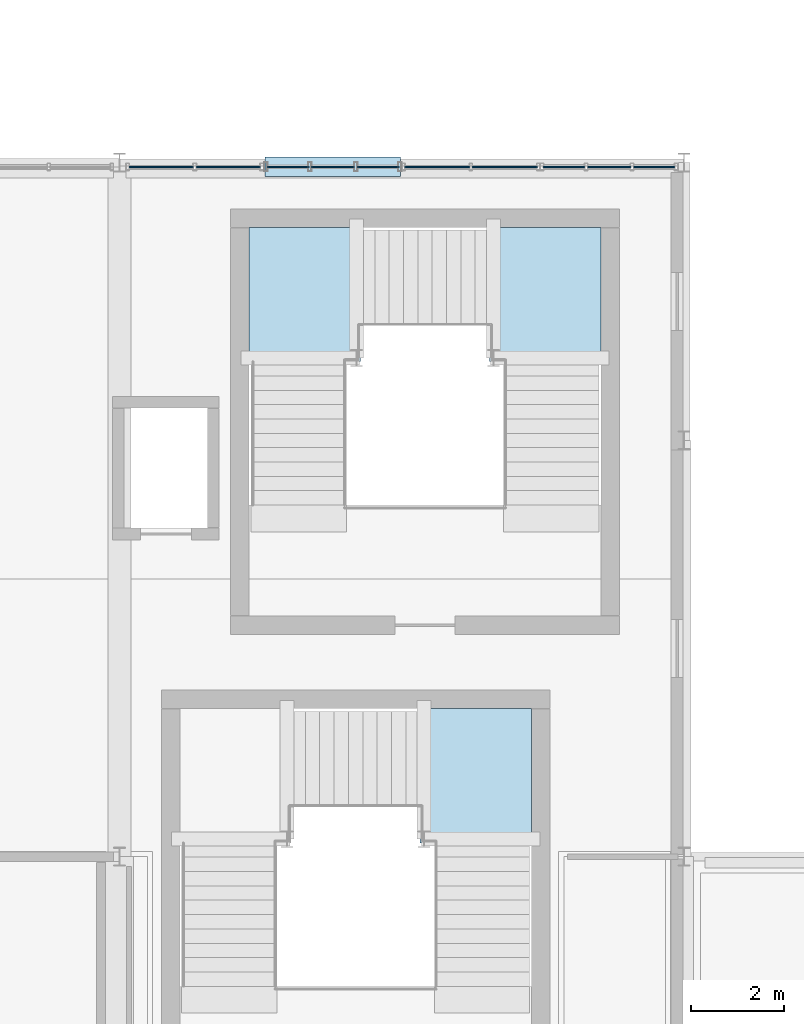
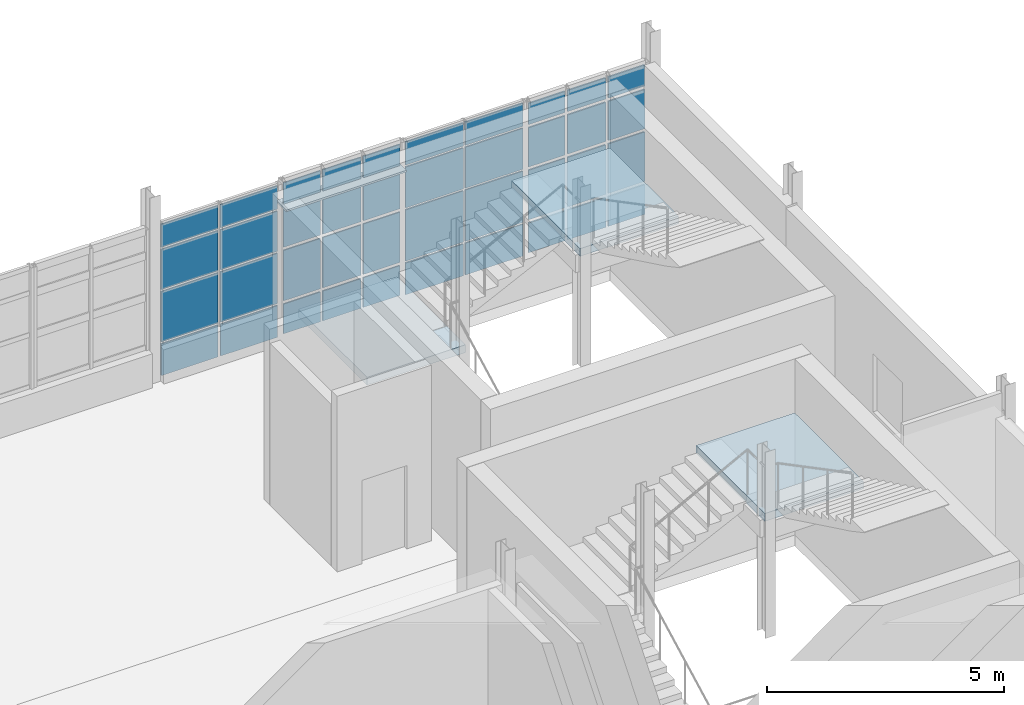
# One storey, part 101 of 127: 41 plates, 3 slabs, 6 elements without a shape of their own.
"""IFC4 building model written with IfcOpenShell, lengths in metres."""

from ifc_helpers import new_model, si_unit, derived_unit, direction, frame, origin, origin_2d, place, context, subcontext, project, spatial, polyline, rectangle, outline, extrude, material, layer, layer_set, type_object, element, aggregate, save


model = new_model("IFC4")

# Units and contexts
model_context = context("Model", 3, precision=1e-05, world=origin(), true_north=direction((0.0, 1.0)))
body_context = subcontext(model_context, "Body", "Model", "MODEL_VIEW")
ifc_project = project(units=[si_unit("LENGTHUNIT", "METRE"), si_unit("AREAUNIT", "SQUARE_METRE"), si_unit("VOLUMEUNIT", "CUBIC_METRE"), si_unit("PLANEANGLEUNIT", "RADIAN"), si_unit("MASSUNIT", "GRAM", prefix="KILO"), derived_unit("THERMALTRANSMITTANCEUNIT", [(si_unit("POWERUNIT", "WATT"), 1), (si_unit("LENGTHUNIT", "METRE"), -2), (si_unit("THERMODYNAMICTEMPERATUREUNIT", "KELVIN"), -1)])], contexts=[model_context])

# Site, building, storey
site_placement = place(None, origin())
site = spatial("IfcSite", under=ifc_project, at=site_placement, CompositionType="ELEMENT")
building_placement = place(site_placement, origin())
building = spatial("IfcBuilding", under=site, at=building_placement, Name="Nallur Shell Playhouse", CompositionType="ELEMENT")
storey_placement = place(building_placement, frame((0.0, 0.0, 5.39990234375)))
storey = spatial("IfcBuildingStorey", under=building, at=storey_placement, Name="L02", CompositionType="ELEMENT", Elevation=5.39990234375)

# Curtain wall, plates
ifc_material_1 = material(Name="Anodised Aluminium Double-Glazed Facade System", Category="aluminium")
ifc_layer_1 = layer(ifc_material_1, 0.172119140625)
ifc_layer_set_1 = layer_set([ifc_layer_1], Name="Anodised Aluminium Double-Glazed Facade System")
curtain_wall_type_1 = type_object("IfcCurtainWallType", Name="CW-UNIT-03", PredefinedType="NOTDEFINED", material=ifc_layer_set_1)
curtain_wall_1_placement = place(storey_placement, origin())
curtain_wall_1 = element("IfcCurtainWall", 1, at=curtain_wall_1_placement, inside=storey, type_object=curtain_wall_type_1, Name="Unitised curtain wall CW-035 (L02)", PredefinedType="NOTDEFINED")
ifc_material_2 = material(Name="Solar-Control Low-E Laminated Insulating Glass", Category="glass")
ifc_layer_2 = layer(ifc_material_2, 0.030029296875)
ifc_layer_set_2 = layer_set([ifc_layer_2], Name="Solar-Control Low-E Laminated Insulating Glass")
plate_type_1 = type_object("IfcPlateType", Name="PT-GLZ-03", PredefinedType="CURTAIN_PANEL", material=ifc_layer_set_2)
plate_1_placement = place(storey_placement, frame((148.49755859375, 55.909912109375, 0.05712890625), z_axis=(0.0, 0.0, 1.0), x_axis=(1.0, 0.0, 0.0)))
plate_1 = element("IfcPlate", 2, at=plate_1_placement, type_object=plate_type_1, Name="CW-03 panel 1.1", PredefinedType="CURTAIN_PANEL", context=body_context, shape_type="SweptSolid", body=[
    extrude(rectangle(XDim=1.38525390625, YDim=0.030029296875, at=origin_2d()), origin(), (0.0, 0.0, 1.0), 0.818603515625),
])
plate_2_placement = place(storey_placement, frame((148.49755859375, 55.909912109375, 0.9248046875), z_axis=(0.0, 0.0, 1.0), x_axis=(1.0, 0.0, 0.0)))
plate_2 = element("IfcPlate", 3, at=plate_2_placement, type_object=plate_type_1, Name="CW-03 panel 1.2", PredefinedType="CURTAIN_PANEL", context=body_context, shape_type="SweptSolid", body=[
    extrude(rectangle(XDim=1.38525390625, YDim=0.030029296875, at=origin_2d()), origin(), (0.0, 0.0, 1.0), 1.299072265625),
])
plate_3_placement = place(storey_placement, frame((148.49755859375, 55.909912109375, 2.2724609375), z_axis=(0.0, 0.0, 1.0), x_axis=(1.0, 0.0, 0.0)))
plate_3 = element("IfcPlate", 4, at=plate_3_placement, type_object=plate_type_1, Name="CW-03 panel 1.3", PredefinedType="CURTAIN_PANEL", context=body_context, shape_type="SweptSolid", body=[
    extrude(rectangle(XDim=1.38525390625, YDim=0.030029296875, at=origin_2d()), origin(), (0.0, 0.0, 1.0), 1.0380859375),
])
plate_4_placement = place(storey_placement, frame((148.49755859375, 55.909912109375, 3.35986328125), z_axis=(0.0, 0.0, 1.0), x_axis=(1.0, 0.0, 0.0)))
plate_4 = element("IfcPlate", 5, at=plate_4_placement, type_object=plate_type_1, Name="CW-03 panel 1.4", PredefinedType="CURTAIN_PANEL", context=body_context, shape_type="SweptSolid", body=[
    extrude(rectangle(XDim=1.38525390625, YDim=0.030029296875, at=origin_2d()), origin(), (0.0, 0.0, 1.0), 0.598388671875),
])
plate_5_placement = place(storey_placement, frame((149.94677734375, 55.909912109375, 0.05712890625), z_axis=(0.0, 0.0, 1.0), x_axis=(1.0, 0.0, 0.0)))
plate_5 = element("IfcPlate", 6, at=plate_5_placement, type_object=plate_type_1, Name="CW-03 panel 2.1", PredefinedType="CURTAIN_PANEL", context=body_context, shape_type="SweptSolid", body=[
    extrude(rectangle(XDim=1.38525390625, YDim=0.030029296875, at=origin_2d()), origin(), (0.0, 0.0, 1.0), 0.818603515625),
])
plate_6_placement = place(storey_placement, frame((149.94677734375, 55.909912109375, 0.9248046875), z_axis=(0.0, 0.0, 1.0), x_axis=(1.0, 0.0, 0.0)))
plate_6 = element("IfcPlate", 7, at=plate_6_placement, type_object=plate_type_1, Name="CW-03 panel 2.2", PredefinedType="CURTAIN_PANEL", context=body_context, shape_type="SweptSolid", body=[
    extrude(rectangle(XDim=1.38525390625, YDim=0.030029296875, at=origin_2d()), origin(), (0.0, 0.0, 1.0), 1.299072265625),
])
plate_7_placement = place(storey_placement, frame((149.94677734375, 55.909912109375, 2.2724609375), z_axis=(0.0, 0.0, 1.0), x_axis=(1.0, 0.0, 0.0)))
plate_7 = element("IfcPlate", 8, at=plate_7_placement, type_object=plate_type_1, Name="CW-03 panel 2.3", PredefinedType="CURTAIN_PANEL", context=body_context, shape_type="SweptSolid", body=[
    extrude(rectangle(XDim=1.38525390625, YDim=0.030029296875, at=origin_2d()), origin(), (0.0, 0.0, 1.0), 1.0380859375),
])
plate_8_placement = place(storey_placement, frame((149.94677734375, 55.909912109375, 3.35986328125), z_axis=(0.0, 0.0, 1.0), x_axis=(1.0, 0.0, 0.0)))
plate_8 = element("IfcPlate", 9, at=plate_8_placement, type_object=plate_type_1, Name="CW-03 panel 2.4", PredefinedType="CURTAIN_PANEL", context=body_context, shape_type="SweptSolid", body=[
    extrude(rectangle(XDim=1.38525390625, YDim=0.030029296875, at=origin_2d()), origin(), (0.0, 0.0, 1.0), 0.598388671875),
])
aggregate(curtain_wall_1, [plate_1, plate_2, plate_3, plate_4, plate_5, plate_6, plate_7, plate_8])

ifc_layer_3 = layer(ifc_material_1, 0.176025390625)
ifc_layer_set_3 = layer_set([ifc_layer_3], Name="Anodised Aluminium Double-Glazed Facade System")
curtain_wall_type_2 = type_object("IfcCurtainWallType", Name="CW-UNIT-04", PredefinedType="NOTDEFINED", material=ifc_layer_set_3)
curtain_wall_2_placement = place(storey_placement, origin())
curtain_wall_2 = element("IfcCurtainWall", 10, at=curtain_wall_2_placement, inside=storey, type_object=curtain_wall_type_2, Name="Unitised curtain wall CW-036 (L02)", PredefinedType="NOTDEFINED")
ifc_layer_4 = layer(ifc_material_2, 0.031982421875)
ifc_layer_set_4 = layer_set([ifc_layer_4], Name="Solar-Control Low-E Laminated Insulating Glass")
plate_type_2 = type_object("IfcPlateType", Name="PT-GLZ-04", PredefinedType="CURTAIN_PANEL", material=ifc_layer_set_4)
plate_9_placement = place(storey_placement, frame((151.23583984375, 55.909912109375, 0.092041015625), z_axis=(0.0, 0.0, 1.0), x_axis=(1.0, 0.0, 0.0)))
plate_9 = element("IfcPlate", 11, at=plate_9_placement, type_object=plate_type_2, Name="CW-04 panel 1.1", PredefinedType="CURTAIN_PANEL", context=body_context, shape_type="SweptSolid", body=[
    extrude(rectangle(XDim=0.894775390625, YDim=0.031982421875, at=origin_2d()), origin(), (0.0, 0.0, 1.0), 0.76611328125),
])
plate_10_placement = place(storey_placement, frame((151.23583984375, 55.909912109375, 0.94189453125), z_axis=(0.0, 0.0, 1.0), x_axis=(1.0, 0.0, 0.0)))
plate_10 = element("IfcPlate", 12, at=plate_10_placement, type_object=plate_type_2, Name="CW-04 panel 1.2", PredefinedType="CURTAIN_PANEL", context=body_context, shape_type="SweptSolid", body=[
    extrude(rectangle(XDim=0.894775390625, YDim=0.031982421875, at=origin_2d()), origin(), (0.0, 0.0, 1.0), 1.298095703125),
])
plate_11_placement = place(storey_placement, frame((151.23583984375, 55.909912109375, 2.32421875), z_axis=(0.0, 0.0, 1.0), x_axis=(1.0, 0.0, 0.0)))
plate_11 = element("IfcPlate", 13, at=plate_11_placement, type_object=plate_type_2, Name="CW-04 panel 1.3", PredefinedType="CURTAIN_PANEL", context=body_context, shape_type="SweptSolid", body=[
    extrude(rectangle(XDim=0.894775390625, YDim=0.031982421875, at=origin_2d()), origin(), (0.0, 0.0, 1.0), 1.029052734375),
])
plate_12_placement = place(storey_placement, frame((151.23583984375, 55.909912109375, 3.437255859375), z_axis=(0.0, 0.0, 1.0), x_axis=(1.0, 0.0, 0.0)))
plate_12 = element("IfcPlate", 14, at=plate_12_placement, type_object=plate_type_2, Name="CW-04 panel 1.4", PredefinedType="CURTAIN_PANEL", context=body_context, shape_type="SweptSolid", body=[
    extrude(rectangle(XDim=0.894775390625, YDim=0.031982421875, at=origin_2d()), origin(), (0.0, 0.0, 1.0), 0.5458984375),
])
plate_13_placement = place(storey_placement, frame((152.208251953125, 55.909912109375, 0.092041015625), z_axis=(0.0, 0.0, 1.0), x_axis=(1.0, 0.0, 0.0)))
plate_13 = element("IfcPlate", 15, at=plate_13_placement, type_object=plate_type_2, Name="CW-04 panel 2.1", PredefinedType="CURTAIN_PANEL", context=body_context, shape_type="SweptSolid", body=[
    extrude(rectangle(XDim=0.93212890625, YDim=0.031982421875, at=origin_2d()), origin(), (0.0, 0.0, 1.0), 0.76611328125),
])
plate_14_placement = place(storey_placement, frame((152.208251953125, 55.909912109375, 0.94189453125), z_axis=(0.0, 0.0, 1.0), x_axis=(1.0, 0.0, 0.0)))
plate_14 = element("IfcPlate", 16, at=plate_14_placement, type_object=plate_type_2, Name="CW-04 panel 2.2", PredefinedType="CURTAIN_PANEL", context=body_context, shape_type="SweptSolid", body=[
    extrude(rectangle(XDim=0.93212890625, YDim=0.031982421875, at=origin_2d()), origin(), (0.0, 0.0, 1.0), 1.298095703125),
])
plate_15_placement = place(storey_placement, frame((152.208251953125, 55.909912109375, 2.32421875), z_axis=(0.0, 0.0, 1.0), x_axis=(1.0, 0.0, 0.0)))
plate_15 = element("IfcPlate", 17, at=plate_15_placement, type_object=plate_type_2, Name="CW-04 panel 2.3", PredefinedType="CURTAIN_PANEL", context=body_context, shape_type="SweptSolid", body=[
    extrude(rectangle(XDim=0.93212890625, YDim=0.031982421875, at=origin_2d()), origin(), (0.0, 0.0, 1.0), 1.029052734375),
])
plate_16_placement = place(storey_placement, frame((152.208251953125, 55.909912109375, 3.437255859375), z_axis=(0.0, 0.0, 1.0), x_axis=(1.0, 0.0, 0.0)))
plate_16 = element("IfcPlate", 18, at=plate_16_placement, type_object=plate_type_2, Name="CW-04 panel 2.4", PredefinedType="CURTAIN_PANEL", context=body_context, shape_type="SweptSolid", body=[
    extrude(rectangle(XDim=0.93212890625, YDim=0.031982421875, at=origin_2d()), origin(), (0.0, 0.0, 1.0), 0.5458984375),
])
plate_17_placement = place(storey_placement, frame((153.1806640625, 55.909912109375, 0.092041015625), z_axis=(0.0, 0.0, 1.0), x_axis=(1.0, 0.0, 0.0)))
plate_17 = element("IfcPlate", 19, at=plate_17_placement, type_object=plate_type_2, Name="CW-04 panel 3.1", PredefinedType="CURTAIN_PANEL", context=body_context, shape_type="SweptSolid", body=[
    extrude(rectangle(XDim=0.894775390625, YDim=0.031982421875, at=origin_2d()), origin(), (0.0, 0.0, 1.0), 0.76611328125),
])
plate_18_placement = place(storey_placement, frame((153.1806640625, 55.909912109375, 0.94189453125), z_axis=(0.0, 0.0, 1.0), x_axis=(1.0, 0.0, 0.0)))
plate_18 = element("IfcPlate", 20, at=plate_18_placement, type_object=plate_type_2, Name="CW-04 panel 3.2", PredefinedType="CURTAIN_PANEL", context=body_context, shape_type="SweptSolid", body=[
    extrude(rectangle(XDim=0.894775390625, YDim=0.031982421875, at=origin_2d()), origin(), (0.0, 0.0, 1.0), 1.298095703125),
])
plate_19_placement = place(storey_placement, frame((153.1806640625, 55.909912109375, 2.32421875), z_axis=(0.0, 0.0, 1.0), x_axis=(1.0, 0.0, 0.0)))
plate_19 = element("IfcPlate", 21, at=plate_19_placement, type_object=plate_type_2, Name="CW-04 panel 3.3", PredefinedType="CURTAIN_PANEL", context=body_context, shape_type="SweptSolid", body=[
    extrude(rectangle(XDim=0.894775390625, YDim=0.031982421875, at=origin_2d()), origin(), (0.0, 0.0, 1.0), 1.029052734375),
])
plate_20_placement = place(storey_placement, frame((153.1806640625, 55.909912109375, 3.437255859375), z_axis=(0.0, 0.0, 1.0), x_axis=(1.0, 0.0, 0.0)))
plate_20 = element("IfcPlate", 22, at=plate_20_placement, type_object=plate_type_2, Name="CW-04 panel 3.4", PredefinedType="CURTAIN_PANEL", context=body_context, shape_type="SweptSolid", body=[
    extrude(rectangle(XDim=0.894775390625, YDim=0.031982421875, at=origin_2d()), origin(), (0.0, 0.0, 1.0), 0.5458984375),
])
aggregate(curtain_wall_2, [plate_9, plate_10, plate_11, plate_12, plate_13, plate_14, plate_15, plate_16, plate_17, plate_18, plate_19, plate_20])

ifc_layer_5 = layer(ifc_material_1, 0.179931640625)
ifc_layer_set_5 = layer_set([ifc_layer_5], Name="Anodised Aluminium Double-Glazed Facade System")
curtain_wall_type_3 = type_object("IfcCurtainWallType", Name="CW-UNIT-05", PredefinedType="NOTDEFINED", material=ifc_layer_set_5)
curtain_wall_3_placement = place(storey_placement, origin())
curtain_wall_3 = element("IfcCurtainWall", 23, at=curtain_wall_3_placement, inside=storey, type_object=curtain_wall_type_3, Name="Unitised curtain wall CW-037 (L02)", PredefinedType="NOTDEFINED")
ifc_layer_6 = layer(ifc_material_2, 0.033935546875)
ifc_layer_set_6 = layer_set([ifc_layer_6], Name="Solar-Control Low-E Laminated Insulating Glass")
plate_type_3 = type_object("IfcPlateType", Name="PT-GLZ-05", PredefinedType="CURTAIN_PANEL", material=ifc_layer_set_6)
plate_21_placement = place(storey_placement, frame((154.464599609375, 55.909912109375, 0.05712890625), z_axis=(0.0, 0.0, 1.0), x_axis=(1.0, 0.0, 0.0)))
plate_21 = element("IfcPlate", 24, at=plate_21_placement, type_object=plate_type_3, Name="CW-05 panel 1.1", PredefinedType="CURTAIN_PANEL", context=body_context, shape_type="SweptSolid", body=[
    extrude(rectangle(XDim=1.4052734375, YDim=0.033935546875, at=origin_2d()), origin(), (0.0, 0.0, 1.0), 0.818603515625),
])
plate_22_placement = place(storey_placement, frame((154.464599609375, 55.909912109375, 0.9248046875), z_axis=(0.0, 0.0, 1.0), x_axis=(1.0, 0.0, 0.0)))
plate_22 = element("IfcPlate", 25, at=plate_22_placement, type_object=plate_type_3, Name="CW-05 panel 1.2", PredefinedType="CURTAIN_PANEL", context=body_context, shape_type="SweptSolid", body=[
    extrude(rectangle(XDim=1.4052734375, YDim=0.033935546875, at=origin_2d()), origin(), (0.0, 0.0, 1.0), 1.322021484375),
])
plate_23_placement = place(storey_placement, frame((154.464599609375, 55.909912109375, 2.29541015625), z_axis=(0.0, 0.0, 1.0), x_axis=(1.0, 0.0, 0.0)))
plate_23 = element("IfcPlate", 26, at=plate_23_placement, type_object=plate_type_3, Name="CW-05 panel 1.3", PredefinedType="CURTAIN_PANEL", context=body_context, shape_type="SweptSolid", body=[
    extrude(rectangle(XDim=1.4052734375, YDim=0.033935546875, at=origin_2d()), origin(), (0.0, 0.0, 1.0), 1.054931640625),
])
plate_24_placement = place(storey_placement, frame((154.464599609375, 55.909912109375, 3.3994140625), z_axis=(0.0, 0.0, 1.0), x_axis=(1.0, 0.0, 0.0)))
plate_24 = element("IfcPlate", 27, at=plate_24_placement, type_object=plate_type_3, Name="CW-05 panel 1.4", PredefinedType="CURTAIN_PANEL", context=body_context, shape_type="SweptSolid", body=[
    extrude(rectangle(XDim=1.4052734375, YDim=0.033935546875, at=origin_2d()), origin(), (0.0, 0.0, 1.0), 0.598388671875),
])
plate_25_placement = place(storey_placement, frame((155.9189453125, 55.909912109375, 0.05712890625), z_axis=(0.0, 0.0, 1.0), x_axis=(1.0, 0.0, 0.0)))
plate_25 = element("IfcPlate", 28, at=plate_25_placement, type_object=plate_type_3, Name="CW-05 panel 2.1", PredefinedType="CURTAIN_PANEL", context=body_context, shape_type="SweptSolid", body=[
    extrude(rectangle(XDim=1.4052734375, YDim=0.033935546875, at=origin_2d()), origin(), (0.0, 0.0, 1.0), 0.818603515625),
])
plate_26_placement = place(storey_placement, frame((155.9189453125, 55.909912109375, 0.9248046875), z_axis=(0.0, 0.0, 1.0), x_axis=(1.0, 0.0, 0.0)))
plate_26 = element("IfcPlate", 29, at=plate_26_placement, type_object=plate_type_3, Name="CW-05 panel 2.2", PredefinedType="CURTAIN_PANEL", context=body_context, shape_type="SweptSolid", body=[
    extrude(rectangle(XDim=1.4052734375, YDim=0.033935546875, at=origin_2d()), origin(), (0.0, 0.0, 1.0), 1.322021484375),
])
plate_27_placement = place(storey_placement, frame((155.9189453125, 55.909912109375, 2.29541015625), z_axis=(0.0, 0.0, 1.0), x_axis=(1.0, 0.0, 0.0)))
plate_27 = element("IfcPlate", 30, at=plate_27_placement, type_object=plate_type_3, Name="CW-05 panel 2.3", PredefinedType="CURTAIN_PANEL", context=body_context, shape_type="SweptSolid", body=[
    extrude(rectangle(XDim=1.4052734375, YDim=0.033935546875, at=origin_2d()), origin(), (0.0, 0.0, 1.0), 1.054931640625),
])
plate_28_placement = place(storey_placement, frame((155.9189453125, 55.909912109375, 3.3994140625), z_axis=(0.0, 0.0, 1.0), x_axis=(1.0, 0.0, 0.0)))
plate_28 = element("IfcPlate", 31, at=plate_28_placement, type_object=plate_type_3, Name="CW-05 panel 2.4", PredefinedType="CURTAIN_PANEL", context=body_context, shape_type="SweptSolid", body=[
    extrude(rectangle(XDim=1.4052734375, YDim=0.033935546875, at=origin_2d()), origin(), (0.0, 0.0, 1.0), 0.598388671875),
])
aggregate(curtain_wall_3, [plate_21, plate_22, plate_23, plate_24, plate_25, plate_26, plate_27, plate_28])

ifc_layer_7 = layer(ifc_material_1, 0.159912109375)
ifc_layer_set_7 = layer_set([ifc_layer_7], Name="Anodised Aluminium Double-Glazed Facade System")
curtain_wall_type_4 = type_object("IfcCurtainWallType", Name="CW-UNIT-06", PredefinedType="NOTDEFINED", material=ifc_layer_set_7)
curtain_wall_4_placement = place(storey_placement, origin())
curtain_wall_4 = element("IfcCurtainWall", 32, at=curtain_wall_4_placement, inside=storey, type_object=curtain_wall_type_4, Name="Unitised curtain wall CW-038 (L02)", PredefinedType="NOTDEFINED")
ifc_layer_8 = layer(ifc_material_2, 0.035888671875)
ifc_layer_set_8 = layer_set([ifc_layer_8], Name="Solar-Control Low-E Laminated Insulating Glass")
plate_type_4 = type_object("IfcPlateType", Name="PT-GLZ-06", PredefinedType="CURTAIN_PANEL", material=ifc_layer_set_8)
plate_29_placement = place(storey_placement, frame((157.204833984375, 55.909912109375, 0.092041015625), z_axis=(0.0, 0.0, 1.0), x_axis=(1.0, 0.0, 0.0)))
plate_29 = element("IfcPlate", 33, at=plate_29_placement, type_object=plate_type_4, Name="CW-06 panel 1.1", PredefinedType="CURTAIN_PANEL", context=body_context, shape_type="SweptSolid", body=[
    extrude(rectangle(XDim=0.888916015625, YDim=0.035888671875, at=origin_2d()), origin(), (0.0, 0.0, 1.0), 0.76611328125),
])
plate_30_placement = place(storey_placement, frame((157.204833984375, 55.909912109375, 0.942138671875), z_axis=(0.0, 0.0, 1.0), x_axis=(1.0, 0.0, 0.0)))
plate_30 = element("IfcPlate", 34, at=plate_30_placement, type_object=plate_type_4, Name="CW-06 panel 1.2", PredefinedType="CURTAIN_PANEL", context=body_context, shape_type="SweptSolid", body=[
    extrude(rectangle(XDim=0.888916015625, YDim=0.035888671875, at=origin_2d()), origin(), (0.0, 0.0, 1.0), 1.27587890625),
])
plate_31_placement = place(storey_placement, frame((157.204833984375, 55.909912109375, 2.30224609375), z_axis=(0.0, 0.0, 1.0), x_axis=(1.0, 0.0, 0.0)))
plate_31 = element("IfcPlate", 35, at=plate_31_placement, type_object=plate_type_4, Name="CW-06 panel 1.3", PredefinedType="CURTAIN_PANEL", context=body_context, shape_type="SweptSolid", body=[
    extrude(rectangle(XDim=0.888916015625, YDim=0.035888671875, at=origin_2d()), origin(), (0.0, 0.0, 1.0), 1.010986328125),
])
plate_32_placement = place(storey_placement, frame((157.204833984375, 55.909912109375, 3.397216796875), z_axis=(0.0, 0.0, 1.0), x_axis=(1.0, 0.0, 0.0)))
plate_32 = element("IfcPlate", 36, at=plate_32_placement, type_object=plate_type_4, Name="CW-06 panel 1.4", PredefinedType="CURTAIN_PANEL", context=body_context, shape_type="SweptSolid", body=[
    extrude(rectangle(XDim=0.888916015625, YDim=0.035888671875, at=origin_2d()), origin(), (0.0, 0.0, 1.0), 0.5458984375),
])
plate_33_placement = place(storey_placement, frame((158.177734375, 55.909912109375, 0.092041015625), z_axis=(0.0, 0.0, 1.0), x_axis=(1.0, 0.0, 0.0)))
plate_33 = element("IfcPlate", 37, at=plate_33_placement, type_object=plate_type_4, Name="CW-06 panel 2.1", PredefinedType="CURTAIN_PANEL", context=body_context, shape_type="SweptSolid", body=[
    extrude(rectangle(XDim=0.928955078125, YDim=0.035888671875, at=origin_2d()), origin(), (0.0, 0.0, 1.0), 0.76611328125),
])
plate_34_placement = place(storey_placement, frame((158.177734375, 55.909912109375, 0.942138671875), z_axis=(0.0, 0.0, 1.0), x_axis=(1.0, 0.0, 0.0)))
plate_34 = element("IfcPlate", 38, at=plate_34_placement, type_object=plate_type_4, Name="CW-06 panel 2.2", PredefinedType="CURTAIN_PANEL", context=body_context, shape_type="SweptSolid", body=[
    extrude(rectangle(XDim=0.928955078125, YDim=0.035888671875, at=origin_2d()), origin(), (0.0, 0.0, 1.0), 1.27587890625),
])
plate_35_placement = place(storey_placement, frame((158.177734375, 55.909912109375, 2.30224609375), z_axis=(0.0, 0.0, 1.0), x_axis=(1.0, 0.0, 0.0)))
plate_35 = element("IfcPlate", 39, at=plate_35_placement, type_object=plate_type_4, Name="CW-06 panel 2.3", PredefinedType="CURTAIN_PANEL", context=body_context, shape_type="SweptSolid", body=[
    extrude(rectangle(XDim=0.928955078125, YDim=0.035888671875, at=origin_2d()), origin(), (0.0, 0.0, 1.0), 1.010986328125),
])
plate_36_placement = place(storey_placement, frame((158.177734375, 55.909912109375, 3.397216796875), z_axis=(0.0, 0.0, 1.0), x_axis=(1.0, 0.0, 0.0)))
plate_36 = element("IfcPlate", 40, at=plate_36_placement, type_object=plate_type_4, Name="CW-06 panel 2.4", PredefinedType="CURTAIN_PANEL", context=body_context, shape_type="SweptSolid", body=[
    extrude(rectangle(XDim=0.928955078125, YDim=0.035888671875, at=origin_2d()), origin(), (0.0, 0.0, 1.0), 0.5458984375),
])
plate_37_placement = place(storey_placement, frame((159.150634765625, 55.909912109375, 0.092041015625), z_axis=(0.0, 0.0, 1.0), x_axis=(1.0, 0.0, 0.0)))
plate_37 = element("IfcPlate", 41, at=plate_37_placement, type_object=plate_type_4, Name="CW-06 panel 3.1", PredefinedType="CURTAIN_PANEL", context=body_context, shape_type="SweptSolid", body=[
    extrude(rectangle(XDim=0.888916015625, YDim=0.035888671875, at=origin_2d()), origin(), (0.0, 0.0, 1.0), 0.76611328125),
])
plate_38_placement = place(storey_placement, frame((159.150634765625, 55.909912109375, 0.942138671875), z_axis=(0.0, 0.0, 1.0), x_axis=(1.0, 0.0, 0.0)))
plate_38 = element("IfcPlate", 42, at=plate_38_placement, type_object=plate_type_4, Name="CW-06 panel 3.2", PredefinedType="CURTAIN_PANEL", context=body_context, shape_type="SweptSolid", body=[
    extrude(rectangle(XDim=0.888916015625, YDim=0.035888671875, at=origin_2d()), origin(), (0.0, 0.0, 1.0), 1.27587890625),
])
plate_39_placement = place(storey_placement, frame((159.150634765625, 55.909912109375, 2.30224609375), z_axis=(0.0, 0.0, 1.0), x_axis=(1.0, 0.0, 0.0)))
plate_39 = element("IfcPlate", 43, at=plate_39_placement, type_object=plate_type_4, Name="CW-06 panel 3.3", PredefinedType="CURTAIN_PANEL", context=body_context, shape_type="SweptSolid", body=[
    extrude(rectangle(XDim=0.888916015625, YDim=0.035888671875, at=origin_2d()), origin(), (0.0, 0.0, 1.0), 1.010986328125),
])
plate_40_placement = place(storey_placement, frame((159.150634765625, 55.909912109375, 3.397216796875), z_axis=(0.0, 0.0, 1.0), x_axis=(1.0, 0.0, 0.0)))
plate_40 = element("IfcPlate", 44, at=plate_40_placement, type_object=plate_type_4, Name="CW-06 panel 3.4", PredefinedType="CURTAIN_PANEL", context=body_context, shape_type="SweptSolid", body=[
    extrude(rectangle(XDim=0.888916015625, YDim=0.035888671875, at=origin_2d()), origin(), (0.0, 0.0, 1.0), 0.5458984375),
])
aggregate(curtain_wall_4, [plate_29, plate_30, plate_31, plate_32, plate_33, plate_34, plate_35, plate_36, plate_37, plate_38, plate_39, plate_40])

# Plate
ifc_material_3 = material(Name="Terracotta & Gold-Anodised Monsoon Sunshade Blade", Category="masonry")
ifc_layer_9 = layer(ifc_material_3, 0.044921875)
ifc_layer_set_9 = layer_set([ifc_layer_9], Name="Terracotta & Gold-Anodised Monsoon Sunshade Blade")
plate_type_5 = type_object("IfcPlateType", Name="PT-LOUVRE-01", PredefinedType="USERDEFINED", material=ifc_layer_set_9)
plate_41_placement = place(storey_placement, frame((152.208251953125, 55.909912109375, 3.37255859375), z_axis=(0.0, 0.0, 1.0), x_axis=(1.0, 0.0, 0.0)))
element("IfcPlate", 45, at=plate_41_placement, inside=storey, type_object=plate_type_5, Name="Monsoon sunshade louvre blade LV-009", ObjectType="SUNSHADE LOUVRE", PredefinedType="USERDEFINED", context=body_context, shape_type="SweptSolid", body=[
    extrude(rectangle(XDim=2.93310546875, YDim=0.419921875, at=origin_2d()), origin(), (0.0, 0.0, 1.0), 0.044921875),
])

# Stair, slabs
ifc_material_4 = material(Name="Concrete M35", Category="concrete")
stair_type = type_object("IfcStairType", Name="ST-CORE-48", PredefinedType="QUARTER_TURN_STAIR", material=ifc_material_4)
stair_1_placement = place(storey_placement, origin())
stair_1 = element("IfcStair", 46, at=stair_1_placement, inside=storey, type_object=stair_type, Name="Core JC-5 exit stair ST-05-L02 (L02 to L03)", PredefinedType="QUARTER_TURN_STAIR")
ifc_layer_10 = layer(ifc_material_4, 0.199951171875)
ifc_layer_set_10 = layer_set([ifc_layer_10], Name="Concrete M35")
slab_type = type_object("IfcSlabType", Name="SL-LANDING-200", PredefinedType="LANDING", material=ifc_layer_set_10)
slab_1_placement = place(storey_placement, frame((0.0, 0.0, 1.4501953125)))
slab_1 = element("IfcSlab", 47, at=slab_1_placement, type_object=slab_type, Name="ST-48 landing 1", PredefinedType="LANDING", context=body_context, shape_type="SweptSolid", body=[
    extrude(outline(polyline([(150.39990234375, 51.699951171875), (152.804931640625, 51.699951171875), (152.804931640625, 54.60009765625), (150.39990234375, 54.60009765625), (150.39990234375, 51.699951171875)])), origin(), (0.0, 0.0, 1.0), 0.199951171875),
])
slab_2_placement = place(storey_placement, frame((0.0, 0.0, 2.9501953125)))
slab_2 = element("IfcSlab", 48, at=slab_2_placement, type_object=slab_type, Name="ST-48 landing 2", PredefinedType="LANDING", context=body_context, shape_type="SweptSolid", body=[
    extrude(outline(polyline([(155.594970703125, 51.699951171875), (158.0, 51.699951171875), (158.0, 54.60009765625), (155.594970703125, 54.60009765625), (155.594970703125, 51.699951171875)])), origin(), (0.0, 0.0, 1.0), 0.199951171875),
])
aggregate(stair_1, [slab_1, slab_2])

# Stair, slab
stair_2_placement = place(storey_placement, origin())
stair_2 = element("IfcStair", 49, at=stair_2_placement, inside=storey, type_object=stair_type, Name="Core JC-9 exit stair ST-09-L02 (L02 to L03)", PredefinedType="QUARTER_TURN_STAIR")
slab_3_placement = place(storey_placement, frame((0.0, 0.0, 2.9501953125)))
slab_3 = element("IfcSlab", 50, at=slab_3_placement, type_object=slab_type, Name="ST-48 landing 2", PredefinedType="LANDING", context=body_context, shape_type="SweptSolid", body=[
    extrude(outline(polyline([(154.094970703125, 41.300048828125), (156.5, 41.300048828125), (156.5, 44.199951171875), (154.094970703125, 44.199951171875), (154.094970703125, 41.300048828125)])), origin(), (0.0, 0.0, 1.0), 0.199951171875),
])
aggregate(stair_2, [slab_3])

save(model, "model.ifc")
